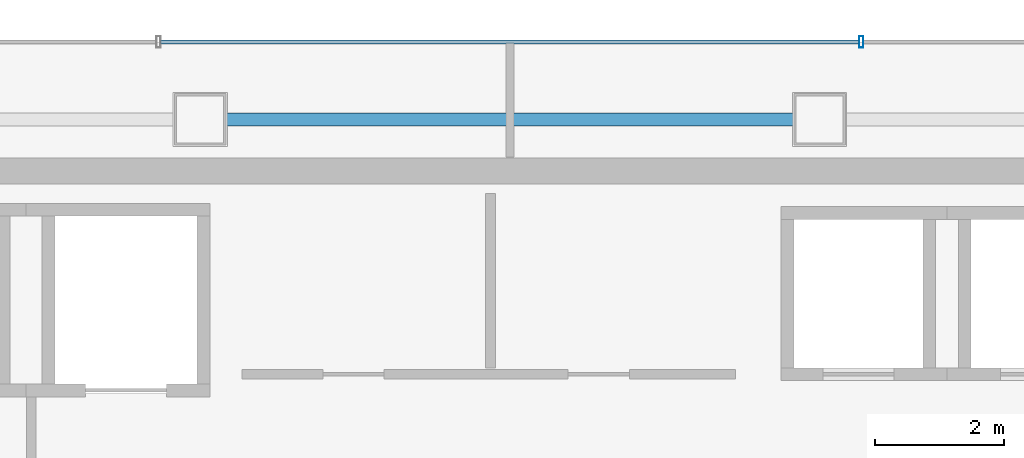
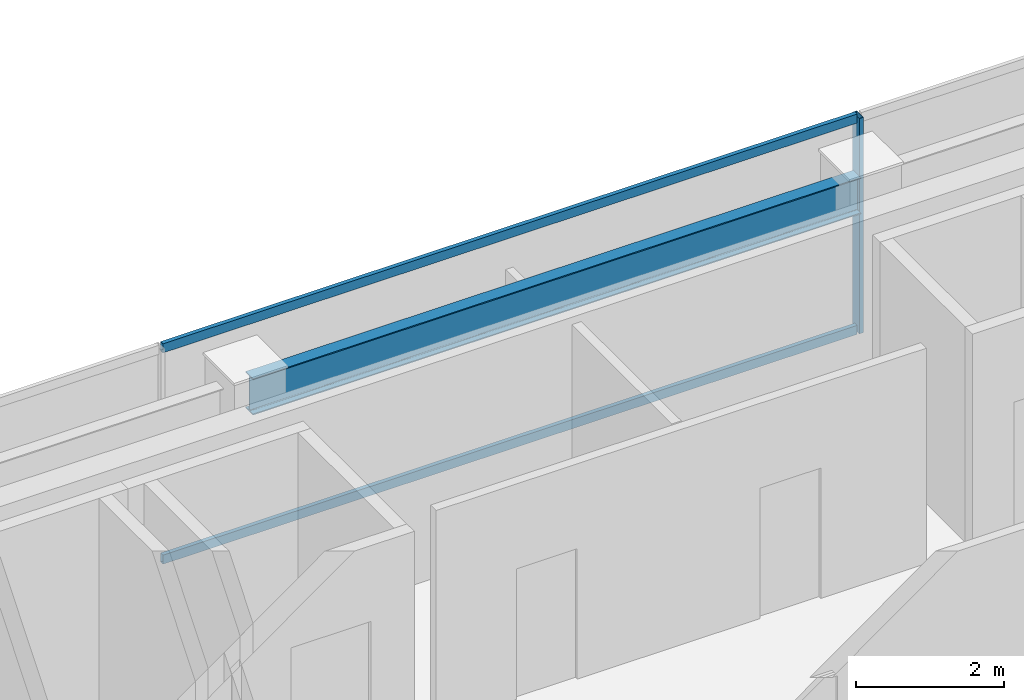
# One storey, part 22 of 32: 3 members, 1 beam, 1 element without a shape of its own.
"""IFC4 building model written with IfcOpenShell, lengths in metres."""

from ifc_helpers import new_model, si_unit, direction, frame, origin, origin_2d, place, context, subcontext, project, spatial, hollow_rectangle, i_section, extrude, material, material_profile, profile_set, type_object, element, aggregate, save


model = new_model("IFC4")

# Units and contexts
model_context = context("Model", 3, precision=1e-05, world=origin(), true_north=direction((0.0, 1.0)))
body_context = subcontext(model_context, "Body", "Model", "MODEL_VIEW")
ifc_project = project(units=[si_unit("LENGTHUNIT", "METRE"), si_unit("AREAUNIT", "SQUARE_METRE"), si_unit("VOLUMEUNIT", "CUBIC_METRE"), si_unit("PLANEANGLEUNIT", "RADIAN"), si_unit("MASSUNIT", "GRAM", prefix="KILO")], contexts=[model_context])

# Site, building, storey
site_placement = place(None, origin())
site = spatial("IfcSite", under=ifc_project, at=site_placement, CompositionType="ELEMENT")
building_placement = place(site_placement, origin())
building = spatial("IfcBuilding", under=site, at=building_placement, Name="Saevonmaru Cultural Tower", CompositionType="ELEMENT")
storey_placement = place(building_placement, frame((0.0, 0.0, 257.199951171875)))
storey = spatial("IfcBuildingStorey", under=building, at=storey_placement, Name="L60", CompositionType="ELEMENT", Elevation=257.199951171875)

# Beam
ifc_material_1 = material(Name="Steel SM355", Category="steel")
ifc_material_profile_1 = material_profile(ifc_material_1, i_section(OverallWidth=0.199951171875, OverallDepth=0.60009765625, WebThickness=0.010986328125, FlangeThickness=0.01708984375, FilletRadius=0.02197265625, at=origin_2d()), Name="H-600x200x11x17")
ifc_profile_set_1 = profile_set([ifc_material_profile_1], Name="Steel SM355")
beam_type = type_object("IfcBeamType", Name="BM-SP-H600", PredefinedType="SPANDREL", material=ifc_profile_set_1)
beam_placement = place(storey_placement, frame((25.260009765625, 54.800048828125, 3.25), z_axis=(1.0, 0.0, 0.0), x_axis=(0.0, 1.0, 0.0)))
element("IfcBeam", 1, at=beam_placement, inside=storey, type_object=beam_type, Name="L60 North Spine Girder 3", PredefinedType="SPANDREL", context=body_context, shape_type="SweptSolid", body=[
    extrude(i_section(OverallWidth=0.199951171875, OverallDepth=0.60009765625, WebThickness=0.010986328125, FlangeThickness=0.01708984375, FilletRadius=0.02197265625, at=origin_2d()), origin(), (0.0, 0.0, 1.0), 9.47998046875),
])

# Curtain wall, members
ifc_material_2 = material(Name="Satin Bronze Anodised Aluminium", Category="aluminium")
curtain_wall_type = type_object("IfcCurtainWallType", Name="CW-TYP-B", PredefinedType="NOTDEFINED", material=ifc_material_2)
curtain_wall_placement = place(storey_placement, origin())
curtain_wall = element("IfcCurtainWall", 2, at=curtain_wall_placement, inside=storey, type_object=curtain_wall_type, Name="L60 North Spine Unitised Curtain Wall E10B", PredefinedType="NOTDEFINED")
ifc_material_profile_2 = material_profile(ifc_material_2, hollow_rectangle(XDim=0.06494140625, YDim=0.179931640625, WallThickness=0.00390625, at=origin_2d()), Name="ALU-MULL-180x65x4")
ifc_profile_set_2 = profile_set([ifc_material_profile_2], Name="Satin Bronze Anodised Aluminium")
member_type_1 = type_object("IfcMemberType", Name="ML-CW-180x65", PredefinedType="MULLION", material=ifc_profile_set_2)
member_1_placement = place(storey_placement, frame((35.44677734375, 56.0, 0.0), z_axis=(0.0, 0.0, 1.0), x_axis=(-1.0, 0.0, 0.0)))
member_1 = element("IfcMember", 3, at=member_1_placement, type_object=member_type_1, Name="CW-TW-L60-E10B mullion 2", PredefinedType="MULLION", context=body_context, shape_type="SweptSolid", body=[
    extrude(hollow_rectangle(XDim=0.06494140625, YDim=0.179931640625, WallThickness=0.00390625, at=origin_2d()), origin(), (0.0, 0.0, 1.0), 3.550048828125),
])
ifc_material_profile_3 = material_profile(ifc_material_2, hollow_rectangle(XDim=0.06494140625, YDim=0.14990234375, WallThickness=0.00390625, at=origin_2d()), Name="ALU-TRAN-150x65x4")
ifc_profile_set_3 = profile_set([ifc_material_profile_3], Name="Satin Bronze Anodised Aluminium")
member_type_2 = type_object("IfcMemberType", Name="TR-CW-150x65", PredefinedType="USERDEFINED", material=ifc_profile_set_3)
member_2_placement = place(storey_placement, frame((35.4140625, 56.0, 0.032470703125), z_axis=(-1.0, 0.0, 0.0), x_axis=(0.0, -1.0, 0.0)))
member_2 = element("IfcMember", 4, at=member_2_placement, type_object=member_type_2, Name="CW-TW-L60-E10B transom 2.1", ObjectType="TRANSOM", PredefinedType="USERDEFINED", context=body_context, shape_type="SweptSolid", body=[
    extrude(hollow_rectangle(XDim=0.06494140625, YDim=0.14990234375, WallThickness=0.00390625, at=origin_2d()), origin(), (0.0, 0.0, 1.0), 10.828125),
])
member_3_placement = place(storey_placement, frame((35.4140625, 56.0, 3.517578125), z_axis=(-1.0, 0.0, 0.0), x_axis=(0.0, -1.0, 0.0)))
member_3 = element("IfcMember", 5, at=member_3_placement, type_object=member_type_2, Name="CW-TW-L60-E10B transom 2.2", ObjectType="TRANSOM", PredefinedType="USERDEFINED", context=body_context, shape_type="SweptSolid", body=[
    extrude(hollow_rectangle(XDim=0.06494140625, YDim=0.14990234375, WallThickness=0.00390625, at=origin_2d()), origin(), (0.0, 0.0, 1.0), 10.828125),
])
aggregate(curtain_wall, [member_1, member_2, member_3])

save(model, "model.ifc")
